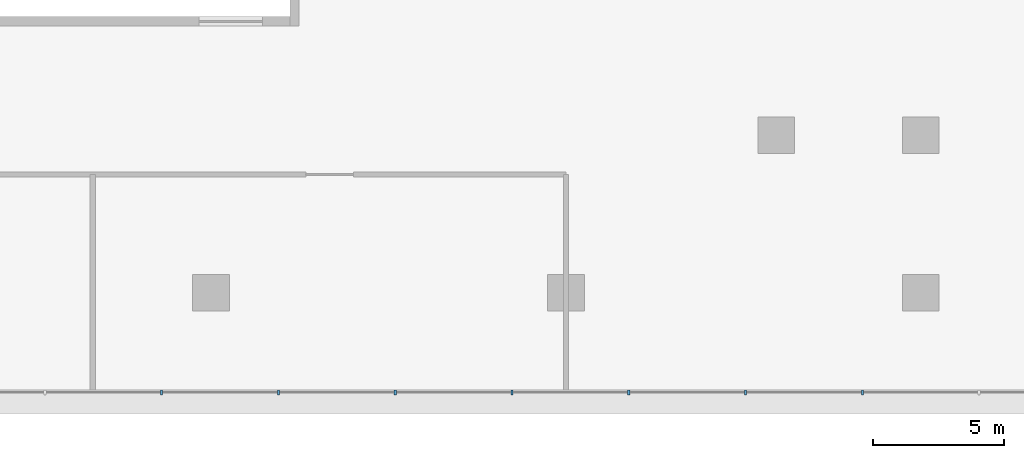
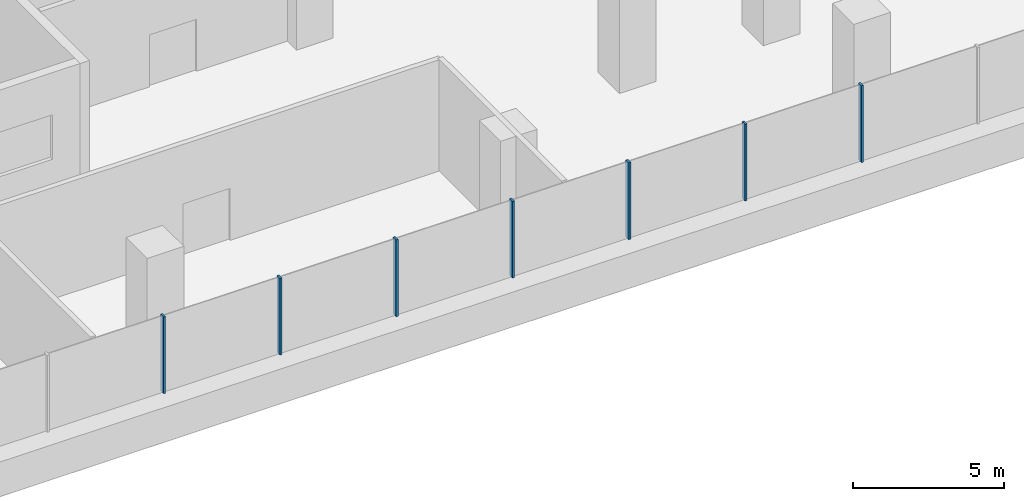
# One storey, part 3 of 44: 7 members, 1 element without a shape of its own.
"""IFC4 building model written with IfcOpenShell, lengths in metres."""

import ifcopenshell
import ifcopenshell.guid

model = None  # the IFC model being written
_history = None  # IfcOwnerHistory: only IFC2X3 demands one
_inside = {}  # id of a spatial element -> (the spatial element, [elements in it])
_under = {}  # id of a project, library or spatial element -> (it, [spatial elements below it])
_declared = {}  # id of a project -> (the project, [libraries it declares])
_typed = {}  # id of a type object -> (the type object, [elements of that type])
_made_of = {}  # id of a material, layer set ... -> (it, [elements and type objects made of it])


def new_model(schema):
    """Start an empty IFC model of exactly this schema.

    Asked for "IFC4X3", IfcOpenShell would pick the latest addendum, in which some entities
    have other attributes; the version numbers below select the first issue.
    IFC2X3 requires an IfcOwnerHistory on every rooted entity: one is made here for all.
    """
    global model, _history
    if schema == "IFC4X3":
        model = ifcopenshell.file(schema_version=(4, 3, 0, 0))
    else:
        model = ifcopenshell.file(schema=schema)
    _inside.clear()
    _under.clear()
    _declared.clear()
    _typed.clear()
    _made_of.clear()
    _history = None
    if model.schema == "IFC2X3":
        org = make("IfcOrganization", Name="unknown")
        user = make(
            "IfcPersonAndOrganization",
            ThePerson=make("IfcPerson", FamilyName="unknown"),
            TheOrganization=org,
        )
        app = make(
            "IfcApplication",
            ApplicationDeveloper=org,
            Version="unknown",
            ApplicationFullName="unknown",
            ApplicationIdentifier="unknown",
        )
        _history = make(
            "IfcOwnerHistory",
            OwningUser=user,
            OwningApplication=app,
            ChangeAction="ADDED",
            CreationDate=0,
        )
    return model


def make(cls, **values):
    """One entity of the class cls with the attributes given. An attribute that is None is left unset."""
    return model.create_entity(
        cls, **{name: value for name, value in values.items() if value is not None}
    )


def rooted(cls, **values):
    """An entity with a GlobalId (a new one), such as an element, a storey or a relation."""
    return make(cls, GlobalId=ifcopenshell.guid.new(), OwnerHistory=_history, **values)


def si_unit(unit_type, name, prefix=None):
    """IfcSIUnit, for example si_unit("LENGTHUNIT", "METRE", prefix="MILLI")."""
    return make("IfcSIUnit", UnitType=unit_type, Prefix=prefix, Name=name)


def assignment(units):
    """IfcUnitAssignment: the units of a project."""
    return None if units is None else make("IfcUnitAssignment", Units=units)


def point(xyz):
    """IfcCartesianPoint."""
    return None if xyz is None else make("IfcCartesianPoint", Coordinates=xyz)


def direction(xyz):
    """IfcDirection."""
    return None if xyz is None else make("IfcDirection", DirectionRatios=xyz)


def frame(location, z_axis=None, x_axis=None):
    """IfcAxis2Placement3D, a coordinate frame: its origin and axes. An axis left out is left unset."""
    return make(
        "IfcAxis2Placement3D",
        Location=point(location),
        Axis=direction(z_axis),
        RefDirection=direction(x_axis),
    )


def frame_2d(location, x_axis=None):
    """IfcAxis2Placement2D, a coordinate frame in the plane: its origin and x axis."""
    return make(
        "IfcAxis2Placement2D", Location=point(location), RefDirection=direction(x_axis)
    )


def origin():
    """The frame at (0, 0, 0) with its axes left unset."""
    return frame((0.0, 0.0, 0.0))


def origin_2d():
    """The frame at (0, 0) in the plane with its x axis left unset."""
    return frame_2d((0.0, 0.0))


def place(relative_to, where):
    """IfcLocalPlacement: puts the frame where relative to a parent placement (None: the world)."""
    return make(
        "IfcLocalPlacement", PlacementRelTo=relative_to, RelativePlacement=where
    )


def context(
    kind, dimensions, precision=None, world=None, true_north=None, identifier=None
):
    """IfcGeometricRepresentationContext, for example the 3D "Model" context."""
    return make(
        "IfcGeometricRepresentationContext",
        ContextIdentifier=identifier,
        ContextType=kind,
        CoordinateSpaceDimension=dimensions,
        Precision=precision,
        WorldCoordinateSystem=world,
        TrueNorth=true_north,
    )


def subcontext(parent, identifier, kind, view, scale=None):
    """IfcGeometricRepresentationSubContext, for example "Body" below "Model"."""
    return make(
        "IfcGeometricRepresentationSubContext",
        ContextIdentifier=identifier,
        ContextType=kind,
        ParentContext=parent,
        TargetScale=scale,
        TargetView=view,
    )


def project(units=None, contexts=None):
    """IfcProject with its units and contexts."""
    return rooted(
        "IfcProject",
        Name="project",
        RepresentationContexts=contexts,
        UnitsInContext=assignment(units),
    )


def spatial(cls, under=None, at=None, **own):
    """A site, building, storey or space (cls), placed at a placement, below another one or the project."""
    s = rooted(cls, ObjectPlacement=at, **own)
    if under is not None:
        _under.setdefault(under.id(), (under, []))[1].append(s)
    return s


def profile(cls, at=None, kind="AREA", **sizes):
    """A parametric profile (cls). Its sizes go by their IFC names, for example OverallWidth=200.0."""
    return make(cls, ProfileType=kind, Position=at, **sizes)


def rectangle(**sizes):
    """IfcRectangleProfileDef."""
    return profile("IfcRectangleProfileDef", **sizes)


def extrude(swept, where, along, depth):
    """IfcExtrudedAreaSolid: the profile swept, set in the frame where, extruded along a direction by depth."""
    return make(
        "IfcExtrudedAreaSolid",
        SweptArea=swept,
        Position=where,
        ExtrudedDirection=direction(along),
        Depth=depth,
    )


def shape(context_of_items, identifier, shape_type, items):
    """IfcShapeRepresentation: the items that make up one representation, for example the "Body"."""
    return make(
        "IfcShapeRepresentation",
        ContextOfItems=context_of_items,
        RepresentationIdentifier=identifier,
        RepresentationType=shape_type,
        Items=items,
    )


def material(Name=None, Category=None):
    """IfcMaterial."""
    return make("IfcMaterial", Name=Name, Category=Category)


def layer(
    of_material, thickness, ventilated=None, Name=None, Category=None, Priority=None
):
    """IfcMaterialLayer: one layer of a wall or slab, of a material (None: an air gap)."""
    return make(
        "IfcMaterialLayer",
        Material=of_material,
        LayerThickness=thickness,
        IsVentilated=ventilated,
        Name=Name,
        Category=Category,
        Priority=Priority,
    )


def layer_set(layers, Name=None):
    """IfcMaterialLayerSet."""
    return make("IfcMaterialLayerSet", MaterialLayers=layers, LayerSetName=Name)


def material_profile(
    of_material, cross_section, Name=None, Category=None, Priority=None
):
    """IfcMaterialProfile: a cross section and its material."""
    return make(
        "IfcMaterialProfile",
        Name=Name,
        Material=of_material,
        Profile=cross_section,
        Priority=Priority,
        Category=Category,
    )


def profile_set(profiles, Name=None, composite=None):
    """IfcMaterialProfileSet."""
    return make(
        "IfcMaterialProfileSet",
        Name=Name,
        MaterialProfiles=profiles,
        CompositeProfile=composite,
    )


def made_of(thing, what):
    """Note that an element or type object is made of a material, layer set ...; save() writes the relation."""
    if what is not None:
        _made_of.setdefault(what.id(), (what, []))[1].append(thing)
    return thing


def type_object(cls, material=None, **own):
    """A type object (cls), such as IfcWallType, which elements share."""
    return made_of(rooted(cls, **own), material)


def element(
    cls,
    number,
    at=None,
    inside=None,
    cuts=None,
    type_object=None,
    material=None,
    context=None,
    identifier="Body",
    shape_type=None,
    held_by="IfcProductDefinitionShape",
    body=None,
    shapes=None,
    **own,
):
    """One element of the class cls, such as IfcWall. Its Tag is "e" and its number.

    at: its placement. inside: the storey or other place that contains it. cuts: it is an
    opening in that element (IfcRelVoidsElement). A single representation is given by context,
    identifier, shape_type and body (its items); several are given by shapes. held_by: the class
    of the entity that holds the representations. save() writes the other relations.
    """
    e = rooted(cls, Tag="e%d" % number, ObjectPlacement=at, **own)
    if body is not None:
        shapes = [shape(context, identifier, shape_type, body)]
    if shapes is not None:
        e.Representation = make(held_by, Representations=shapes)
    if inside is not None:
        _inside.setdefault(inside.id(), (inside, []))[1].append(e)
    if cuts is not None:
        rooted(
            "IfcRelVoidsElement", RelatingBuildingElement=cuts, RelatedOpeningElement=e
        )
    if type_object is not None:
        _typed.setdefault(type_object.id(), (type_object, []))[1].append(e)
    return made_of(e, material)


def aggregate(whole, parts):
    """IfcRelAggregates: a whole, such as a stair, and the parts it consists of."""
    return rooted("IfcRelAggregates", RelatingObject=whole, RelatedObjects=parts)


def save(model, path):
    """Write the relations noted so far, then the file.

    IfcRelAggregates (storeys below a building ...), IfcRelContainedInSpatialStructure (elements
    in a storey), IfcRelDefinesByType, IfcRelAssociatesMaterial and IfcRelDeclares: one each for
    every whole, place, type object, material and project.
    """
    for whole, parts in _under.values():
        aggregate(whole, parts)
    for where, things in _inside.values():
        rooted(
            "IfcRelContainedInSpatialStructure",
            RelatedElements=things,
            RelatingStructure=where,
        )
    for kind, things in _typed.values():
        rooted("IfcRelDefinesByType", RelatedObjects=things, RelatingType=kind)
    for what, things in _made_of.values():
        rooted("IfcRelAssociatesMaterial", RelatedObjects=things, RelatingMaterial=what)
    for by, libraries in _declared.values():
        rooted("IfcRelDeclares", RelatingContext=by, RelatedDefinitions=libraries)
    model.write(path)


model = new_model("IFC4")

# Units and contexts
model_context = context("Model", 3, precision=1e-05, world=origin(), true_north=direction((0.0, 1.0)))
body_context = subcontext(model_context, "Body", "Model", "MODEL_VIEW")
ifc_project = project(units=[si_unit("LENGTHUNIT", "METRE"), si_unit("AREAUNIT", "SQUARE_METRE"), si_unit("VOLUMEUNIT", "CUBIC_METRE"), si_unit("PLANEANGLEUNIT", "RADIAN"), si_unit("MASSUNIT", "GRAM", prefix="KILO")], contexts=[model_context])

# Site, building, storey
site_placement = place(None, origin())
site = spatial("IfcSite", under=ifc_project, at=site_placement, CompositionType="ELEMENT")
building_placement = place(site_placement, origin())
building = spatial("IfcBuilding", under=site, at=building_placement, Name="Tamarind Cross Interchange Tower", CompositionType="ELEMENT")
storey_placement = place(building_placement, frame((0.0, 0.0, 15.0)))
storey = spatial("IfcBuildingStorey", under=building, at=storey_placement, Name="L02", CompositionType="ELEMENT", Elevation=15.0)

# Curtain wall, members
ifc_material = material(Name="Aluminium 6063-T6", Category="aluminium")
ifc_layer = layer(ifc_material, 0.199951171875)
ifc_layer_set = layer_set([ifc_layer], Name="Aluminium 6063-T6")
curtain_wall_type = type_object("IfcCurtainWallType", Name="Podium shopfront and station curtain wall", PredefinedType="NOTDEFINED", material=ifc_layer_set)
curtain_wall_placement = place(storey_placement, origin())
curtain_wall = element("IfcCurtainWall", 1, at=curtain_wall_placement, inside=storey, type_object=curtain_wall_type, Name="CWS-L02-06", PredefinedType="NOTDEFINED")
ifc_material_profile = material_profile(ifc_material, rectangle(XDim=0.080078125, YDim=0.199951171875, at=origin_2d()), Name="Mullion CW3")
ifc_profile_set = profile_set([ifc_material_profile], Name="Aluminium 6063-T6")
member_type = type_object("IfcMemberType", Name="Mullion CW3", PredefinedType="MULLION", material=ifc_profile_set)
member_1_placement = place(storey_placement, frame((-28.88134765625, -57.800048828125, 1.39990234375), z_axis=(0.0, 0.0, 1.0), x_axis=(1.0, 0.0, 0.0)))
member_1 = element("IfcMember", 2, at=member_1_placement, type_object=member_type, Name="CWM-L02-06-07", PredefinedType="MULLION", context=body_context, shape_type="SweptSolid", body=[
    extrude(rectangle(XDim=0.080078125, YDim=0.199951171875, at=origin_2d()), origin(), (0.0, 0.0, 1.0), 3.10009765625),
])
member_2_placement = place(storey_placement, frame((-24.43798828125, -57.800048828125, 1.39990234375), z_axis=(0.0, 0.0, 1.0), x_axis=(1.0, 0.0, 0.0)))
member_2 = element("IfcMember", 3, at=member_2_placement, type_object=member_type, Name="CWM-L02-06-08", PredefinedType="MULLION", context=body_context, shape_type="SweptSolid", body=[
    extrude(rectangle(XDim=0.080078125, YDim=0.199951171875, at=origin_2d()), origin(), (0.0, 0.0, 1.0), 3.10009765625),
])
member_3_placement = place(storey_placement, frame((-19.994873046875, -57.800048828125, 1.39990234375), z_axis=(0.0, 0.0, 1.0), x_axis=(1.0, 0.0, 0.0)))
member_3 = element("IfcMember", 4, at=member_3_placement, type_object=member_type, Name="CWM-L02-06-09", PredefinedType="MULLION", context=body_context, shape_type="SweptSolid", body=[
    extrude(rectangle(XDim=0.080078125, YDim=0.199951171875, at=origin_2d()), origin(), (0.0, 0.0, 1.0), 3.10009765625),
])
member_4_placement = place(storey_placement, frame((-15.551513671875, -57.800048828125, 1.39990234375), z_axis=(0.0, 0.0, 1.0), x_axis=(1.0, 0.0, 0.0)))
member_4 = element("IfcMember", 5, at=member_4_placement, type_object=member_type, Name="CWM-L02-06-10", PredefinedType="MULLION", context=body_context, shape_type="SweptSolid", body=[
    extrude(rectangle(XDim=0.080078125, YDim=0.199951171875, at=origin_2d()), origin(), (0.0, 0.0, 1.0), 3.10009765625),
])
member_5_placement = place(storey_placement, frame((-11.108154296875, -57.800048828125, 1.39990234375), z_axis=(0.0, 0.0, 1.0), x_axis=(1.0, 0.0, 0.0)))
member_5 = element("IfcMember", 6, at=member_5_placement, type_object=member_type, Name="CWM-L02-06-11", PredefinedType="MULLION", context=body_context, shape_type="SweptSolid", body=[
    extrude(rectangle(XDim=0.080078125, YDim=0.199951171875, at=origin_2d()), origin(), (0.0, 0.0, 1.0), 3.10009765625),
])
member_6_placement = place(storey_placement, frame((-6.6650390625, -57.800048828125, 1.39990234375), z_axis=(0.0, 0.0, 1.0), x_axis=(1.0, 0.0, 0.0)))
member_6 = element("IfcMember", 7, at=member_6_placement, type_object=member_type, Name="CWM-L02-06-12", PredefinedType="MULLION", context=body_context, shape_type="SweptSolid", body=[
    extrude(rectangle(XDim=0.080078125, YDim=0.199951171875, at=origin_2d()), origin(), (0.0, 0.0, 1.0), 3.10009765625),
])
member_7_placement = place(storey_placement, frame((-2.2216796875, -57.800048828125, 1.39990234375), z_axis=(0.0, 0.0, 1.0), x_axis=(1.0, 0.0, 0.0)))
member_7 = element("IfcMember", 8, at=member_7_placement, type_object=member_type, Name="CWM-L02-06-13", PredefinedType="MULLION", context=body_context, shape_type="SweptSolid", body=[
    extrude(rectangle(XDim=0.080078125, YDim=0.199951171875, at=origin_2d()), origin(), (0.0, 0.0, 1.0), 3.10009765625),
])
aggregate(curtain_wall, [member_1, member_2, member_3, member_4, member_5, member_6, member_7])

save(model, "model.ifc")
